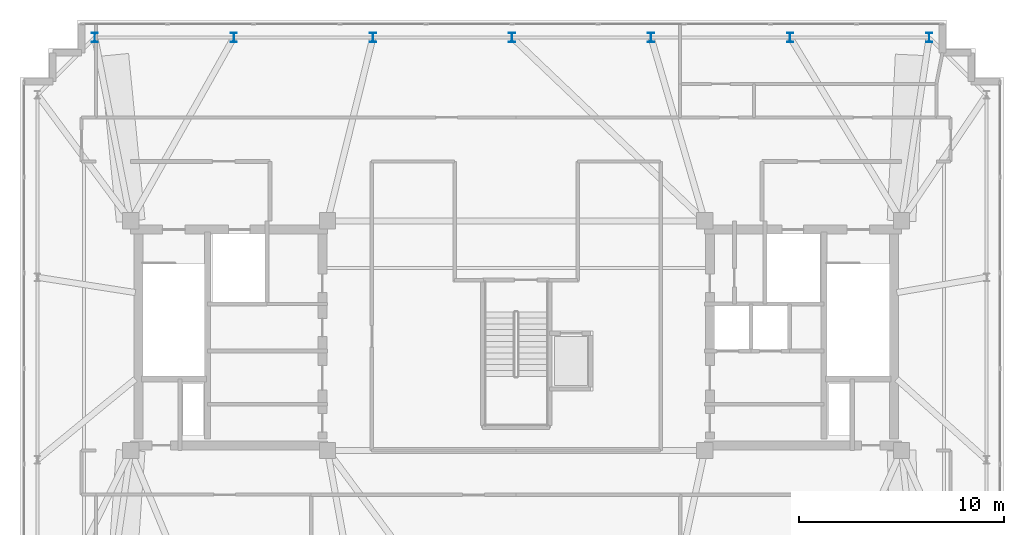
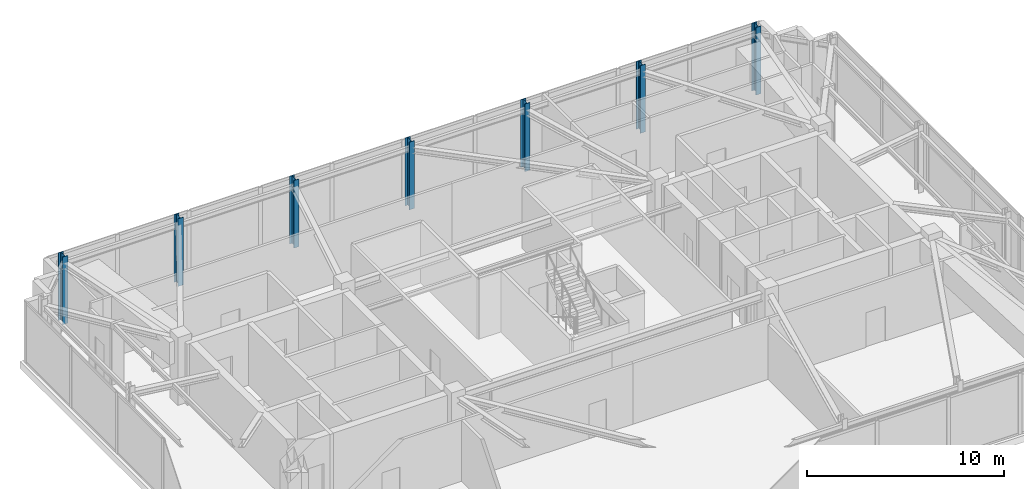
# One storey, part 3 of 27: 7 columns.
"""IFC4 building model written with IfcOpenShell, lengths in metres."""

from ifc_helpers import new_model, si_unit, direction, frame, origin, origin_2d, place, context, subcontext, project, spatial, i_section, extrude, material, material_profile, profile_set, type_object, element, save


model = new_model("IFC4")

# Units and contexts
model_context = context("Model", 3, precision=1e-05, world=origin(), true_north=direction((0.0, 1.0)))
body_context = subcontext(model_context, "Body", "Model", "MODEL_VIEW")
ifc_project = project(units=[si_unit("LENGTHUNIT", "METRE"), si_unit("AREAUNIT", "SQUARE_METRE"), si_unit("VOLUMEUNIT", "CUBIC_METRE"), si_unit("PLANEANGLEUNIT", "RADIAN"), si_unit("MASSUNIT", "GRAM", prefix="KILO")], contexts=[model_context])

# Site, building, storey
site_placement = place(None, origin())
site = spatial("IfcSite", under=ifc_project, at=site_placement, CompositionType="ELEMENT")
building_placement = place(site_placement, origin())
building = spatial("IfcBuilding", under=site, at=building_placement, Name="Qobustan Lattice House", CompositionType="ELEMENT")
storey_placement = place(building_placement, frame((0.0, 0.0, 266.0)))
storey = spatial("IfcBuildingStorey", under=building, at=storey_placement, Name="L75", CompositionType="ELEMENT", Elevation=266.0)

# Columns
ifc_material = material(Name="Steel S355", Category="steel")
ifc_material_profile = material_profile(ifc_material, i_section(OverallWidth=0.300048828125, OverallDepth=0.449951171875, WebThickness=0.013916015625, FlangeThickness=0.02587890625, FilletRadius=0.027099609375, at=origin_2d()), Name="HEB450")
ifc_profile_set = profile_set([ifc_material_profile], Name="Steel S355")
column_type = type_object("IfcColumnType", Name="COL-ST-HEB450", PredefinedType="COLUMN", material=ifc_profile_set)
for number, where, z_axis, x_axis, name in (
    (1, (20.14990234375, 14.550048828125, 0.0), (0.0, 0.0, 1.0), (1.0, 0.0, 0.0), "L75 B5 perimeter column N1"),
    (2, (13.36669921875, 14.550048828125, 0.0), (0.0, 0.0, 1.0), (1.0, 0.0, 0.0), "L75 B5 perimeter column N2"),
    (3, (6.583251953125, 14.550048828125, 0.0), (0.0, 0.0, 1.0), (1.0, 0.0, 0.0), "L75 B5 perimeter column N3"),
    (4, (-0.199951171875, 14.550048828125, 0.0), (0.0, 0.0, 1.0), (1.0, 0.0, 0.0), "L75 B5 perimeter column N4"),
    (5, (-6.9833984375, 14.550048828125, 0.0), (0.0, 0.0, 1.0), (1.0, 0.0, 0.0), "L75 B5 perimeter column N5"),
    (6, (-13.7666015625, 14.550048828125, 0.0), (0.0, 0.0, 1.0), (1.0, 0.0, 0.0), "L75 B5 perimeter column N6"),
    (7, (-20.550048828125, 14.550048828125, 0.0), (0.0, 0.0, 1.0), (1.0, 0.0, 0.0), "L75 B5 perimeter column N7"),
):
    element("IfcColumn", number, at=place(storey_placement, frame(where, z_axis=z_axis, x_axis=x_axis)), inside=storey, type_object=column_type, Name=name, PredefinedType="COLUMN", context=body_context, shape_type="SweptSolid", body=[
        extrude(i_section(OverallWidth=0.300048828125, OverallDepth=0.449951171875, WebThickness=0.013916015625, FlangeThickness=0.02587890625, FilletRadius=0.027099609375, at=origin_2d()), origin(), (0.0, 0.0, 1.0), 4.199951171875),
    ])

save(model, "model.ifc")
